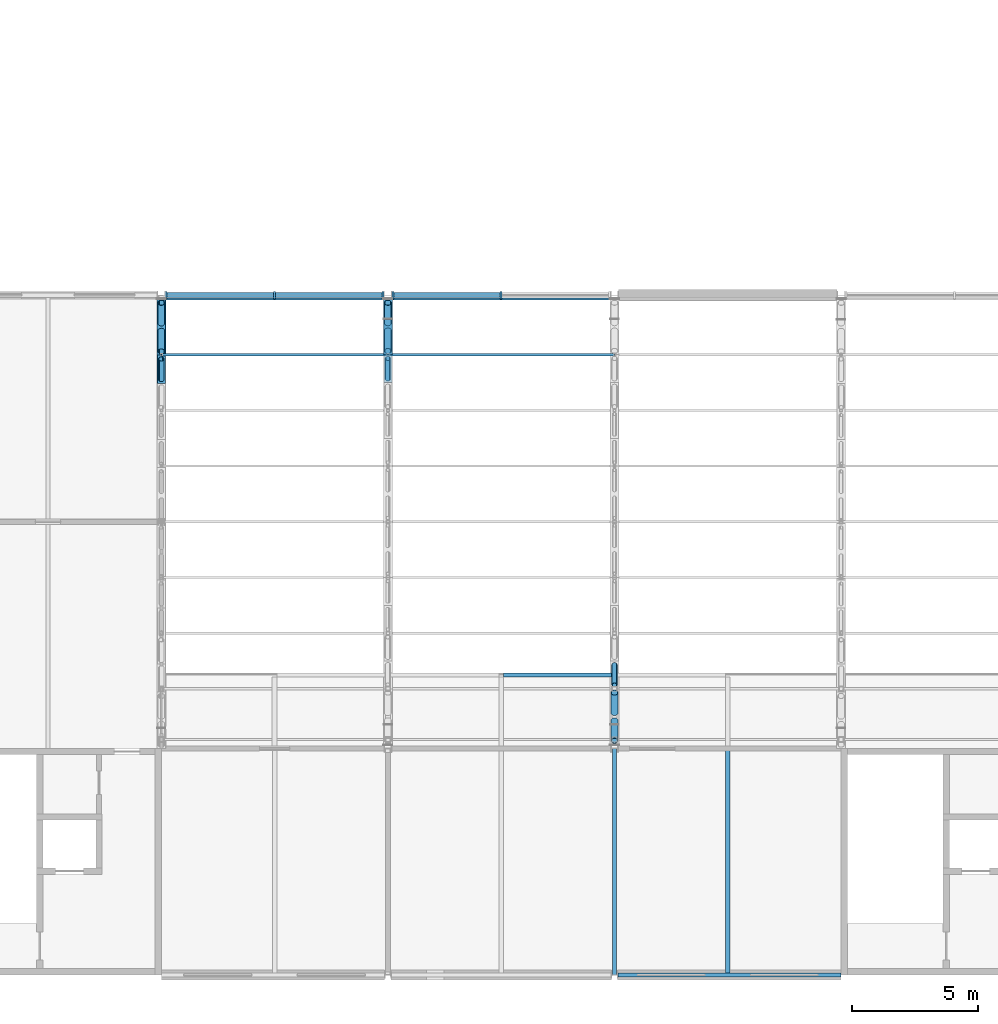
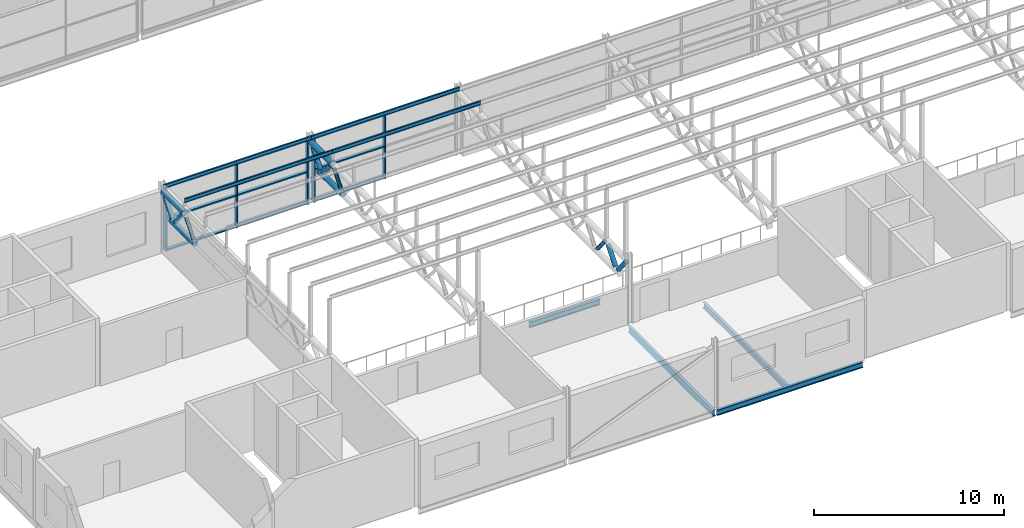
# One storey, part 32 of 138: 31 members, 4 beams, 2 elements without a shape of their own.
"""IFC4 building model written with IfcOpenShell, lengths in metres."""

from ifc_helpers import new_model, si_unit, direction, frame, origin, origin_2d, place, context, subcontext, project, spatial, rectangle, hollow_circle, i_section, extrude, material, layer, layer_set, material_profile, profile_set, type_object, element, aggregate, save


model = new_model("IFC4")

# Units and contexts
model_context = context("Model", 3, precision=1e-05, world=origin(), true_north=direction((0.0, 1.0)))
body_context = subcontext(model_context, "Body", "Model", "MODEL_VIEW")
ifc_project = project(units=[si_unit("LENGTHUNIT", "METRE"), si_unit("AREAUNIT", "SQUARE_METRE"), si_unit("VOLUMEUNIT", "CUBIC_METRE"), si_unit("PLANEANGLEUNIT", "RADIAN"), si_unit("MASSUNIT", "GRAM", prefix="KILO")], contexts=[model_context])

# Site, building, storey
site_placement = place(None, origin())
site = spatial("IfcSite", under=ifc_project, at=site_placement, CompositionType="ELEMENT")
building_placement = place(site_placement, origin())
building = spatial("IfcBuilding", under=site, at=building_placement, Name="Corbel Yard City Hall", CompositionType="ELEMENT")
storey_placement = place(building_placement, frame((0.0, 0.0, 10.5)))
storey = spatial("IfcBuildingStorey", under=building, at=storey_placement, Name="L02", CompositionType="ELEMENT", Elevation=10.5)

# Beam
ifc_material_1 = material(Name="Steel Grade 300 (300 MPa yield)", Category="steel")
ifc_material_profile_1 = material_profile(ifc_material_1, i_section(OverallWidth=0.177978515625, OverallDepth=0.403076171875, WebThickness=0.007568359375, FlangeThickness=0.010986328125, at=origin_2d()), Name="410UB53.7")
ifc_profile_set_1 = profile_set([ifc_material_profile_1], Name="Steel Grade 300 (300 MPa yield)")
beam_type_1 = type_object("IfcBeamType", Name="Beam 410UB53.7", PredefinedType="BEAM", material=ifc_profile_set_1)
beam_1_placement = place(storey_placement, frame((36.0, 0.00537109375, -0.3515625), z_axis=(0.0, 1.0, 0.0), x_axis=(-1.0, 0.0, 0.0)))
element("IfcBeam", 1, at=beam_1_placement, inside=storey, type_object=beam_type_1, Name="Beam 410UB53.7 SB6 L02floor", PredefinedType="BEAM", context=body_context, shape_type="SweptSolid", body=[
    extrude(i_section(OverallWidth=0.177978515625, OverallDepth=0.403076171875, WebThickness=0.007568359375, FlangeThickness=0.010986328125, at=origin_2d()), origin(), (0.0, 0.0, 1.0), 8.98876953125),
])

# Members
ifc_material_profile_2 = material_profile(ifc_material_1, i_section(OverallWidth=0.090087890625, OverallDepth=0.25, WebThickness=0.008056640625, FlangeThickness=0.014892578125, at=origin_2d()), Name="250PFC")
ifc_profile_set_2 = profile_set([ifc_material_profile_2], Name="Steel Grade 300 (300 MPa yield)")
member_type_1 = type_object("IfcMemberType", Name="Eaves purlin 250PFC", PredefinedType="PURLIN", material=ifc_profile_set_2)
for number, where, z_axis, x_axis, name in (
    (2, (18.0, 26.847412109375, 4.24658203125), (1.0, 0.0, 0.0), (0.0, 1.0, 0.0), "Eaves purlin 250PFC PU2"),
    (3, (27.0, 26.847412109375, 4.24658203125), (1.0, 0.0, 0.0), (0.0, 1.0, 0.0), "Eaves purlin 250PFC PU2"),
):
    element("IfcMember", number, at=place(storey_placement, frame(where, z_axis=z_axis, x_axis=x_axis)), inside=storey, type_object=member_type_1, Name=name, PredefinedType="PURLIN", context=body_context, shape_type="SweptSolid", body=[
        extrude(i_section(OverallWidth=0.090087890625, OverallDepth=0.25, WebThickness=0.008056640625, FlangeThickness=0.014892578125, at=origin_2d()), origin(), (0.0, 0.0, 1.0), 9.0),
    ])

# Beams
ifc_material_profile_3 = material_profile(ifc_material_1, i_section(OverallWidth=0.172119140625, OverallDepth=0.35888671875, WebThickness=0.008056640625, FlangeThickness=0.012939453125, at=origin_2d()), Name="360UB56.7")
ifc_profile_set_3 = profile_set([ifc_material_profile_3], Name="Steel Grade 300 (300 MPa yield)")
beam_type_2 = type_object("IfcBeamType", Name="Edge beam 360UB56.7", PredefinedType="BEAM", material=ifc_profile_set_3)
beam_2_placement = place(storey_placement, frame((36.1298828125, 0.0, -0.32958984375), z_axis=(1.0, 0.0, 0.0), x_axis=(0.0, 1.0, 0.0)))
element("IfcBeam", 4, at=beam_2_placement, inside=storey, type_object=beam_type_2, Name="Edge beam 360UB56.7 EB4 L02floor", PredefinedType="BEAM", context=body_context, shape_type="SweptSolid", body=[
    extrude(i_section(OverallWidth=0.172119140625, OverallDepth=0.35888671875, WebThickness=0.008056640625, FlangeThickness=0.012939453125, at=origin_2d()), origin(), (0.0, 0.0, 1.0), 8.8701171875),
])
ifc_material_profile_4 = material_profile(ifc_material_1, i_section(OverallWidth=0.1708984375, OverallDepth=0.35205078125, WebThickness=0.0068359375, FlangeThickness=0.009765625, at=origin_2d()), Name="360UB44.7")
ifc_profile_set_4 = profile_set([ifc_material_profile_4], Name="Steel Grade 300 (300 MPa yield)")
beam_type_3 = type_object("IfcBeamType", Name="Gallery edge beam 360UB44.7", PredefinedType="BEAM", material=ifc_profile_set_4)
beam_3_placement = place(storey_placement, frame((31.594970703125, 11.91455078125, -0.325927734375), z_axis=(1.0, 0.0, 0.0), x_axis=(0.0, 1.0, 0.0)))
element("IfcBeam", 5, at=beam_3_placement, inside=storey, type_object=beam_type_3, Name="Gallery edge beam 360UB44.7 EB13 L02", PredefinedType="BEAM", context=body_context, shape_type="SweptSolid", body=[
    extrude(i_section(OverallWidth=0.1708984375, OverallDepth=0.35205078125, WebThickness=0.0068359375, FlangeThickness=0.009765625, at=origin_2d()), origin(), (0.0, 0.0, 1.0), 4.31005859375),
])

# Members
ifc_material_2 = material(Name="Steel Grade C350L0", Category="steel")
ifc_material_profile_5 = material_profile(ifc_material_2, hollow_circle(Radius=0.161865234375, WallThickness=0.0126953125, at=origin_2d()), Name="323.9x12.7CHS")
ifc_profile_set_5 = profile_set([ifc_material_profile_5], Name="Steel Grade C350L0")
member_type_2 = type_object("IfcMemberType", Name="Hall roof truss bottom chord 323.9x12.7CHS", PredefinedType="CHORD", material=ifc_profile_set_5)
member_1_placement = place(storey_placement, frame((18.0, 23.5009765625, 2.59228515625), z_axis=(0.0, 1.0, 0.0), x_axis=(-1.0, 0.0, 0.0)))
element("IfcMember", 6, at=member_1_placement, inside=storey, type_object=member_type_2, Name="Hall roof truss bottom chord 323.9x12.7CHS TC2", PredefinedType="CHORD", context=body_context, shape_type="SweptSolid", body=[
    extrude(hollow_circle(Radius=0.161865234375, WallThickness=0.0126953125, at=origin_2d()), origin(), (0.0, 0.0, 1.0), 2.531005859375),
])
member_2_placement = place(storey_placement, frame((27.0, 23.52978515625, 2.59228515625), z_axis=(0.0, 1.0, 0.0), x_axis=(-1.0, 0.0, 0.0)))
element("IfcMember", 7, at=member_2_placement, inside=storey, type_object=member_type_2, Name="Hall roof truss bottom chord 323.9x12.7CHS TC2", PredefinedType="CHORD", context=body_context, shape_type="SweptSolid", body=[
    extrude(hollow_circle(Radius=0.161865234375, WallThickness=0.0126953125, at=origin_2d()), origin(), (0.0, 0.0, 1.0), 2.51171875),
])
ifc_material_profile_6 = material_profile(ifc_material_2, hollow_circle(Radius=0.109619140625, WallThickness=0.00830078125, at=origin_2d()), Name="219.1x8.2CHS")
ifc_profile_set_6 = profile_set([ifc_material_profile_6], Name="Steel Grade C350L0")
member_type_3 = type_object("IfcMemberType", Name="Hall roof truss diagonal 219.1x8.2CHS", PredefinedType="STRUT", material=ifc_profile_set_6)
member_3_placement = place(storey_placement, frame((18.0, 23.650146484375, 2.77001953125), z_axis=(0.0, 0.642692233301, 0.766124463292), x_axis=(-1.0, 0.0, 0.0)))
element("IfcMember", 8, at=member_3_placement, inside=storey, type_object=member_type_3, Name="Hall roof truss diagonal 219.1x8.2CHS TD2", PredefinedType="STRUT", context=body_context, shape_type="SweptSolid", body=[
    extrude(hollow_circle(Radius=0.109619140625, WallThickness=0.00830078125, at=origin_2d()), origin(), (0.0, 0.0, 1.0), 1.271728515625),
])
for number, where, z_axis, x_axis, name in (
    (9, (27.0, 23.677490234375, 2.77001953125), (0.0, 0.639407153698, 0.768868318894), (-1.0, 0.0, 0.0), "Hall roof truss diagonal 219.1x8.2CHS TD2"),
    (10, (36.0, 11.51220703125, 3.744384765625), (0.0, 0.639407153698, -0.768868318894), (-1.0, 0.0, 0.0), "Hall roof truss diagonal 219.1x8.2CHS TD2"),
):
    element("IfcMember", number, at=place(storey_placement, frame(where, z_axis=z_axis, x_axis=x_axis)), inside=storey, type_object=member_type_3, Name=name, PredefinedType="STRUT", context=body_context, shape_type="SweptSolid", body=[
        extrude(hollow_circle(Radius=0.109619140625, WallThickness=0.00830078125, at=origin_2d()), origin(), (0.0, 0.0, 1.0), 1.267333984375),
    ])
ifc_material_profile_7 = material_profile(ifc_material_2, hollow_circle(Radius=0.136474609375, WallThickness=0.00927734375, at=origin_2d()), Name="273.1x9.3CHS")
ifc_profile_set_7 = profile_set([ifc_material_profile_7], Name="Steel Grade C350L0")
member_type_4 = type_object("IfcMemberType", Name="Hall roof truss diagonal 273.1x9.3CHS", PredefinedType="STRUT", material=ifc_profile_set_7)
for number, where, z_axis, x_axis, name in (
    (11, (18.0, 24.765625, 3.744384765625), (0.0, 0.642692233301, -0.766124463292), (-1.0, 0.0, 0.0), "Hall roof truss diagonal 273.1x9.3CHS TD1"),
    (12, (18.0, 25.881103515625, 2.77001953125), (0.0, 0.642692233301, 0.766124463292), (-1.0, 0.0, 0.0), "Hall roof truss diagonal 273.1x9.3CHS TD1"),
):
    element("IfcMember", number, at=place(storey_placement, frame(where, z_axis=z_axis, x_axis=x_axis)), inside=storey, type_object=member_type_4, Name=name, PredefinedType="STRUT", context=body_context, shape_type="SweptSolid", body=[
        extrude(hollow_circle(Radius=0.136474609375, WallThickness=0.00927734375, at=origin_2d()), origin(), (0.0, 0.0, 1.0), 1.271728515625),
    ])
for number, where, z_axis, x_axis, name in (
    (13, (27.0, 24.783447265625, 3.744384765625), (0.0, 0.639407153698, -0.768868318894), (-1.0, 0.0, 0.0), "Hall roof truss diagonal 273.1x9.3CHS TD1"),
    (14, (27.0, 25.889404296875, 2.77001953125), (0.0, 0.639407153698, 0.768868318894), (-1.0, 0.0, 0.0), "Hall roof truss diagonal 273.1x9.3CHS TD1"),
    (15, (36.0, 9.30029296875, 3.744384765625), (0.0, 0.639407153698, -0.768868318894), (-1.0, 0.0, 0.0), "Hall roof truss diagonal 273.1x9.3CHS TD1"),
    (16, (36.0, 10.40625, 2.77001953125), (0.0, 0.639407153698, 0.768868318894), (-1.0, 0.0, 0.0), "Hall roof truss diagonal 273.1x9.3CHS TD1"),
):
    element("IfcMember", number, at=place(storey_placement, frame(where, z_axis=z_axis, x_axis=x_axis)), inside=storey, type_object=member_type_4, Name=name, PredefinedType="STRUT", context=body_context, shape_type="SweptSolid", body=[
        extrude(hollow_circle(Radius=0.136474609375, WallThickness=0.00927734375, at=origin_2d()), origin(), (0.0, 0.0, 1.0), 1.267333984375),
    ])
ifc_material_profile_8 = material_profile(ifc_material_2, hollow_circle(Radius=0.177734375, WallThickness=0.0126953125, at=origin_2d()), Name="355.6x12.7CHS")
ifc_profile_set_8 = profile_set([ifc_material_profile_8], Name="Steel Grade C350L0")
member_type_5 = type_object("IfcMemberType", Name="Hall roof truss top chord 355.6x12.7CHS", PredefinedType="CHORD", material=ifc_profile_set_8)
member_4_placement = place(storey_placement, frame((18.0, 24.616455078125, 3.922119140625), z_axis=(0.0, 1.0, 0.0), x_axis=(-1.0, 0.0, 0.0)))
element("IfcMember", 17, at=member_4_placement, inside=storey, type_object=member_type_5, Name="Hall roof truss top chord 355.6x12.7CHS TC1", PredefinedType="CHORD", context=body_context, shape_type="SweptSolid", body=[
    extrude(hollow_circle(Radius=0.177734375, WallThickness=0.0126953125, at=origin_2d()), origin(), (0.0, 0.0, 1.0), 2.23095703125),
])
member_5_placement = place(storey_placement, frame((27.0, 24.6357421875, 3.922119140625), z_axis=(0.0, 1.0, 0.0), x_axis=(-1.0, 0.0, 0.0)))
element("IfcMember", 18, at=member_5_placement, inside=storey, type_object=member_type_5, Name="Hall roof truss top chord 355.6x12.7CHS TC1", PredefinedType="CHORD", context=body_context, shape_type="SweptSolid", body=[
    extrude(hollow_circle(Radius=0.177734375, WallThickness=0.0126953125, at=origin_2d()), origin(), (0.0, 0.0, 1.0), 2.211669921875),
])

# Curtain wall, members
ifc_material_3 = material(Name="Aluminium extrusion", Category="aluminium")
ifc_layer = layer(ifc_material_3, 0.300048828125)
ifc_layer_set = layer_set([ifc_layer], Name="Aluminium extrusion")
curtain_wall_type = type_object("IfcCurtainWallType", Name="CW7", PredefinedType="USERDEFINED", material=ifc_layer_set)
curtain_wall_1_placement = place(storey_placement, origin())
curtain_wall_1 = element("IfcCurtainWall", 19, at=curtain_wall_1_placement, inside=storey, type_object=curtain_wall_type, Name="Curtain wall CW7 L02", ObjectType="CURTAIN WALL", PredefinedType="USERDEFINED")
ifc_material_profile_9 = material_profile(ifc_material_3, rectangle(XDim=0.300048828125, YDim=0.080078125, at=origin_2d()), Name="300x80")
ifc_profile_set_9 = profile_set([ifc_material_profile_9], Name="Aluminium extrusion")
member_type_6 = type_object("IfcMemberType", Name="ML7", PredefinedType="MULLION", material=ifc_profile_set_9)
member_6_placement = place(storey_placement, frame((18.194091796875, 27.0, 0.0), z_axis=(0.0, 0.0, 1.0), x_axis=(0.0, 1.0, 0.0)))
member_6 = element("IfcMember", 20, at=member_6_placement, type_object=member_type_6, Name="CW7 mullion 1", PredefinedType="MULLION", context=body_context, shape_type="SweptSolid", body=[
    extrude(rectangle(XDim=0.300048828125, YDim=0.080078125, at=origin_2d()), origin(), (0.0, 0.0, 1.0), 4.12158203125),
])
member_7_placement = place(storey_placement, frame((22.5, 27.0, 0.0), z_axis=(0.0, 0.0, 1.0), x_axis=(0.0, 1.0, 0.0)))
member_7 = element("IfcMember", 21, at=member_7_placement, type_object=member_type_6, Name="CW7 mullion 2", PredefinedType="MULLION", context=body_context, shape_type="SweptSolid", body=[
    extrude(rectangle(XDim=0.300048828125, YDim=0.080078125, at=origin_2d()), origin(), (0.0, 0.0, 1.0), 4.12158203125),
])
member_8_placement = place(storey_placement, frame((26.805908203125, 27.0, 0.0), z_axis=(0.0, 0.0, 1.0), x_axis=(0.0, 1.0, 0.0)))
member_8 = element("IfcMember", 22, at=member_8_placement, type_object=member_type_6, Name="CW7 mullion 3", PredefinedType="MULLION", context=body_context, shape_type="SweptSolid", body=[
    extrude(rectangle(XDim=0.300048828125, YDim=0.080078125, at=origin_2d()), origin(), (0.0, 0.0, 1.0), 4.12158203125),
])

curtain_wall_2_placement = place(storey_placement, origin())
curtain_wall_2 = element("IfcCurtainWall", 23, at=curtain_wall_2_placement, inside=storey, type_object=curtain_wall_type, Name="Curtain wall CW7 L02", ObjectType="CURTAIN WALL", PredefinedType="USERDEFINED")
member_9_placement = place(storey_placement, frame((27.194091796875, 27.0, 0.0), z_axis=(0.0, 0.0, 1.0), x_axis=(0.0, 1.0, 0.0)))
member_9 = element("IfcMember", 24, at=member_9_placement, type_object=member_type_6, Name="CW7 mullion 1", PredefinedType="MULLION", context=body_context, shape_type="SweptSolid", body=[
    extrude(rectangle(XDim=0.300048828125, YDim=0.080078125, at=origin_2d()), origin(), (0.0, 0.0, 1.0), 4.12158203125),
])
member_10_placement = place(storey_placement, frame((31.5, 27.0, 0.0), z_axis=(0.0, 0.0, 1.0), x_axis=(0.0, 1.0, 0.0)))
member_10 = element("IfcMember", 25, at=member_10_placement, type_object=member_type_6, Name="CW7 mullion 2", PredefinedType="MULLION", context=body_context, shape_type="SweptSolid", body=[
    extrude(rectangle(XDim=0.300048828125, YDim=0.080078125, at=origin_2d()), origin(), (0.0, 0.0, 1.0), 4.12158203125),
])

# Members
ifc_material_profile_10 = material_profile(ifc_material_1, i_section(OverallWidth=0.090087890625, OverallDepth=0.25, WebThickness=0.008056640625, FlangeThickness=0.014892578125, at=origin_2d()), Name="250PFC")
ifc_profile_set_10 = profile_set([ifc_material_profile_10], Name="Steel Grade 300 (300 MPa yield)")
member_type_7 = type_object("IfcMemberType", Name="Purlin 250PFC", PredefinedType="PURLIN", material=ifc_profile_set_10)
for number, where, z_axis, x_axis, name in (
    (26, (18.0, 24.6357421875, 4.68896484375), (1.0, 0.0, 0.0), (0.0, 1.0, 0.0), "Purlin 250PFC PU1"),
    (27, (27.0, 24.6357421875, 4.68896484375), (1.0, 0.0, 0.0), (0.0, 1.0, 0.0), "Purlin 250PFC PU1"),
):
    element("IfcMember", number, at=place(storey_placement, frame(where, z_axis=z_axis, x_axis=x_axis)), inside=storey, type_object=member_type_7, Name=name, PredefinedType="PURLIN", context=body_context, shape_type="SweptSolid", body=[
        extrude(i_section(OverallWidth=0.090087890625, OverallDepth=0.25, WebThickness=0.008056640625, FlangeThickness=0.014892578125, at=origin_2d()), origin(), (0.0, 0.0, 1.0), 9.0),
    ])

# Beam
ifc_material_profile_11 = material_profile(ifc_material_1, i_section(OverallWidth=0.1708984375, OverallDepth=0.35595703125, WebThickness=0.00732421875, FlangeThickness=0.011474609375, at=origin_2d()), Name="360UB50.7")
ifc_profile_set_11 = profile_set([ifc_material_profile_11], Name="Steel Grade 300 (300 MPa yield)")
beam_type_4 = type_object("IfcBeamType", Name="Secondary beam 360UB50.7", PredefinedType="JOIST", material=ifc_profile_set_11)
beam_4_placement = place(storey_placement, frame((40.5, 0.0859375, -0.327880859375), z_axis=(0.0, 1.0, 0.0), x_axis=(-1.0, 0.0, 0.0)))
element("IfcBeam", 28, at=beam_4_placement, inside=storey, type_object=beam_type_4, Name="Secondary beam 360UB50.7 SB10 L02floor", PredefinedType="JOIST", context=body_context, shape_type="SweptSolid", body=[
    extrude(i_section(OverallWidth=0.1708984375, OverallDepth=0.35595703125, WebThickness=0.00732421875, FlangeThickness=0.011474609375, at=origin_2d()), origin(), (0.0, 0.0, 1.0), 8.828125),
])

# Member
ifc_material_profile_12 = material_profile(ifc_material_3, rectangle(XDim=0.199951171875, YDim=0.080078125, at=origin_2d()), Name="200x80")
ifc_profile_set_12 = profile_set([ifc_material_profile_12], Name="Aluminium extrusion")
member_type_8 = type_object("IfcMemberType", Name="TR7", PredefinedType="USERDEFINED", material=ifc_profile_set_12)
member_11_placement = place(storey_placement, frame((18.23388671875, 27.0, 0.0400390625), z_axis=(1.0, 0.0, 0.0), x_axis=(0.0, 1.0, 0.0)))
member_11 = element("IfcMember", 29, at=member_11_placement, type_object=member_type_8, Name="CW7 transom 1.1", ObjectType="TRANSOM", PredefinedType="USERDEFINED", context=body_context, shape_type="SweptSolid", body=[
    extrude(rectangle(XDim=0.199951171875, YDim=0.080078125, at=origin_2d()), origin(), (0.0, 0.0, 1.0), 4.22607421875),
])

member_12_placement = place(storey_placement, frame((18.23388671875, 27.0, 2.060791015625), z_axis=(1.0, 0.0, 0.0), x_axis=(0.0, 1.0, 0.0)))
member_12 = element("IfcMember", 30, at=member_12_placement, type_object=member_type_8, Name="CW7 transom 1.2", ObjectType="TRANSOM", PredefinedType="USERDEFINED", context=body_context, shape_type="SweptSolid", body=[
    extrude(rectangle(XDim=0.199951171875, YDim=0.080078125, at=origin_2d()), origin(), (0.0, 0.0, 1.0), 4.22607421875),
])

member_13_placement = place(storey_placement, frame((18.23388671875, 27.0, 4.08154296875), z_axis=(1.0, 0.0, 0.0), x_axis=(0.0, 1.0, 0.0)))
member_13 = element("IfcMember", 31, at=member_13_placement, type_object=member_type_8, Name="CW7 transom 1.3", ObjectType="TRANSOM", PredefinedType="USERDEFINED", context=body_context, shape_type="SweptSolid", body=[
    extrude(rectangle(XDim=0.199951171875, YDim=0.080078125, at=origin_2d()), origin(), (0.0, 0.0, 1.0), 4.22607421875),
])

member_14_placement = place(storey_placement, frame((22.5400390625, 27.0, 0.0400390625), z_axis=(1.0, 0.0, 0.0), x_axis=(0.0, 1.0, 0.0)))
member_14 = element("IfcMember", 32, at=member_14_placement, type_object=member_type_8, Name="CW7 transom 2.1", ObjectType="TRANSOM", PredefinedType="USERDEFINED", context=body_context, shape_type="SweptSolid", body=[
    extrude(rectangle(XDim=0.199951171875, YDim=0.080078125, at=origin_2d()), origin(), (0.0, 0.0, 1.0), 4.22607421875),
])

member_15_placement = place(storey_placement, frame((22.5400390625, 27.0, 2.060791015625), z_axis=(1.0, 0.0, 0.0), x_axis=(0.0, 1.0, 0.0)))
member_15 = element("IfcMember", 33, at=member_15_placement, type_object=member_type_8, Name="CW7 transom 2.2", ObjectType="TRANSOM", PredefinedType="USERDEFINED", context=body_context, shape_type="SweptSolid", body=[
    extrude(rectangle(XDim=0.199951171875, YDim=0.080078125, at=origin_2d()), origin(), (0.0, 0.0, 1.0), 4.22607421875),
])

member_16_placement = place(storey_placement, frame((22.5400390625, 27.0, 4.08154296875), z_axis=(1.0, 0.0, 0.0), x_axis=(0.0, 1.0, 0.0)))
member_16 = element("IfcMember", 34, at=member_16_placement, type_object=member_type_8, Name="CW7 transom 2.3", ObjectType="TRANSOM", PredefinedType="USERDEFINED", context=body_context, shape_type="SweptSolid", body=[
    extrude(rectangle(XDim=0.199951171875, YDim=0.080078125, at=origin_2d()), origin(), (0.0, 0.0, 1.0), 4.22607421875),
])

aggregate(curtain_wall_1, [member_6, member_7, member_8, member_11, member_12, member_13, member_14, member_15, member_16])

member_17_placement = place(storey_placement, frame((27.23388671875, 27.0, 0.0400390625), z_axis=(1.0, 0.0, 0.0), x_axis=(0.0, 1.0, 0.0)))
member_17 = element("IfcMember", 35, at=member_17_placement, type_object=member_type_8, Name="CW7 transom 1.1", ObjectType="TRANSOM", PredefinedType="USERDEFINED", context=body_context, shape_type="SweptSolid", body=[
    extrude(rectangle(XDim=0.199951171875, YDim=0.080078125, at=origin_2d()), origin(), (0.0, 0.0, 1.0), 4.22607421875),
])

member_18_placement = place(storey_placement, frame((27.23388671875, 27.0, 2.060791015625), z_axis=(1.0, 0.0, 0.0), x_axis=(0.0, 1.0, 0.0)))
member_18 = element("IfcMember", 36, at=member_18_placement, type_object=member_type_8, Name="CW7 transom 1.2", ObjectType="TRANSOM", PredefinedType="USERDEFINED", context=body_context, shape_type="SweptSolid", body=[
    extrude(rectangle(XDim=0.199951171875, YDim=0.080078125, at=origin_2d()), origin(), (0.0, 0.0, 1.0), 4.22607421875),
])

member_19_placement = place(storey_placement, frame((27.23388671875, 27.0, 4.08154296875), z_axis=(1.0, 0.0, 0.0), x_axis=(0.0, 1.0, 0.0)))
member_19 = element("IfcMember", 37, at=member_19_placement, type_object=member_type_8, Name="CW7 transom 1.3", ObjectType="TRANSOM", PredefinedType="USERDEFINED", context=body_context, shape_type="SweptSolid", body=[
    extrude(rectangle(XDim=0.199951171875, YDim=0.080078125, at=origin_2d()), origin(), (0.0, 0.0, 1.0), 4.22607421875),
])

aggregate(curtain_wall_2, [member_9, member_10, member_17, member_18, member_19])

save(model, "model.ifc")
